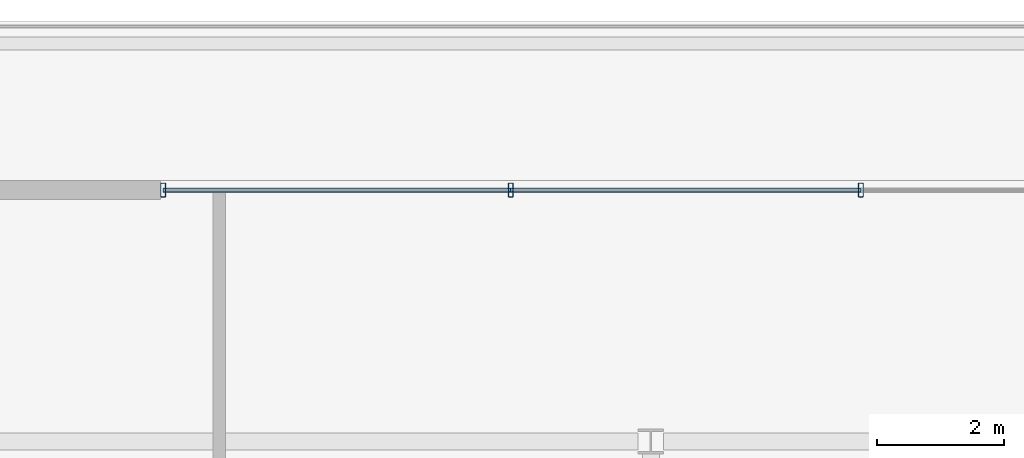
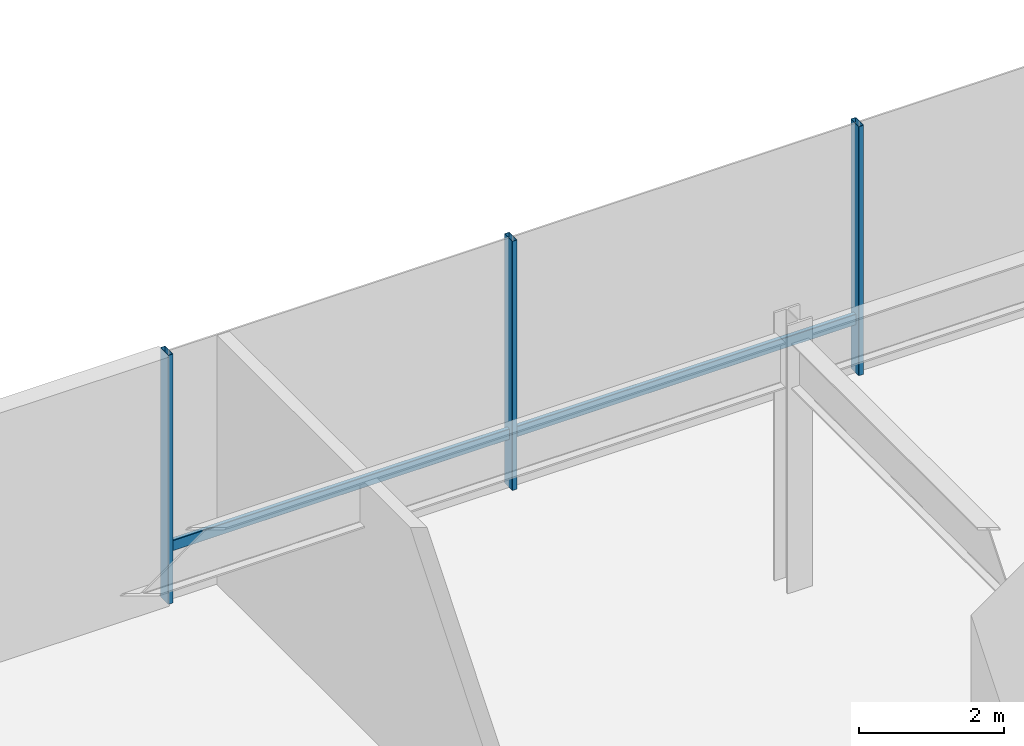
# One storey, part 13 of 40: 5 members, 1 element without a shape of its own.
"""IFC4 building model written with IfcOpenShell, lengths in metres."""

from ifc_helpers import new_model, si_unit, direction, frame, origin, origin_2d, place, context, subcontext, project, spatial, hollow_rectangle, extrude, material, layer, layer_set, material_profile, profile_set, type_object, element, aggregate, save


model = new_model("IFC4")

# Units and contexts
model_context = context("Model", 3, precision=1e-05, world=origin(), true_north=direction((0.0, 1.0)))
body_context = subcontext(model_context, "Body", "Model", "MODEL_VIEW")
ifc_project = project(units=[si_unit("LENGTHUNIT", "METRE"), si_unit("AREAUNIT", "SQUARE_METRE"), si_unit("VOLUMEUNIT", "CUBIC_METRE"), si_unit("PLANEANGLEUNIT", "RADIAN"), si_unit("MASSUNIT", "GRAM", prefix="KILO")], contexts=[model_context])

# Site, building, storey
site_placement = place(None, origin())
site = spatial("IfcSite", under=ifc_project, at=site_placement, CompositionType="ELEMENT")
building_placement = place(site_placement, origin())
building = spatial("IfcBuilding", under=site, at=building_placement, Name="Korimba Cascade Residences", CompositionType="ELEMENT")
storey_placement = place(building_placement, frame((0.0, 0.0, 14.5)))
storey = spatial("IfcBuildingStorey", under=building, at=storey_placement, Name="L03", CompositionType="ELEMENT", Elevation=14.5)

# Curtain wall, members
ifc_material_1 = material(Name="Anodised Aluminium Curtain Wall Framing", Category="aluminium")
ifc_layer = layer(ifc_material_1, 0.179931640625)
ifc_layer_set = layer_set([ifc_layer], Name="Anodised Aluminium Curtain Wall Framing")
curtain_wall_type = type_object("IfcCurtainWallType", Name="CW-POD-SYS1", PredefinedType="NOTDEFINED", material=ifc_layer_set)
curtain_wall_placement = place(storey_placement, origin())
curtain_wall = element("IfcCurtainWall", 1, at=curtain_wall_placement, inside=storey, type_object=curtain_wall_type, Name="L03 Curtain Wall CW-L03-POD-N", PredefinedType="NOTDEFINED")
ifc_material_2 = material(Name="Anodised Aluminium Mullion", Category="aluminium")
ifc_material_profile_1 = material_profile(ifc_material_2, hollow_rectangle(XDim=0.080078125, YDim=0.219970703125, WallThickness=0.00634765625, InnerFilletRadius=0.00634765625, OuterFilletRadius=0.0126953125, at=origin_2d()), Name="Anodised Aluminium Mullion")
ifc_profile_set_1 = profile_set([ifc_material_profile_1], Name="Anodised Aluminium Mullion")
member_type_1 = type_object("IfcMemberType", Name="CWM-MUL-220", PredefinedType="MULLION", material=ifc_profile_set_1)
member_1_placement = place(storey_placement, frame((97.0, 101.550048828125, 0.0), z_axis=(0.0, 0.0, 1.0), x_axis=(-1.0, 0.0, 0.0)))
member_1 = element("IfcMember", 2, at=member_1_placement, type_object=member_type_1, Name="CW-L03-POD-N Mullion 3", PredefinedType="MULLION", context=body_context, shape_type="SweptSolid", body=[
    extrude(hollow_rectangle(XDim=0.080078125, YDim=0.219970703125, WallThickness=0.00634765625, InnerFilletRadius=0.00634765625, OuterFilletRadius=0.0126953125, at=origin_2d()), origin(), (0.0, 0.0, 1.0), 4.179931640625),
])
member_2_placement = place(storey_placement, frame((91.5, 101.550048828125, 0.0), z_axis=(0.0, 0.0, 1.0), x_axis=(-1.0, 0.0, 0.0)))
member_2 = element("IfcMember", 3, at=member_2_placement, type_object=member_type_1, Name="CW-L03-POD-N Mullion 4", PredefinedType="MULLION", context=body_context, shape_type="SweptSolid", body=[
    extrude(hollow_rectangle(XDim=0.080078125, YDim=0.219970703125, WallThickness=0.00634765625, InnerFilletRadius=0.00634765625, OuterFilletRadius=0.0126953125, at=origin_2d()), origin(), (0.0, 0.0, 1.0), 4.179931640625),
])
member_3_placement = place(storey_placement, frame((86.0400390625, 101.550048828125, 0.0), z_axis=(0.0, 0.0, 1.0), x_axis=(-1.0, 0.0, 0.0)))
member_3 = element("IfcMember", 4, at=member_3_placement, type_object=member_type_1, Name="CW-L03-POD-N Mullion 5", PredefinedType="MULLION", context=body_context, shape_type="SweptSolid", body=[
    extrude(hollow_rectangle(XDim=0.080078125, YDim=0.219970703125, WallThickness=0.00634765625, InnerFilletRadius=0.00634765625, OuterFilletRadius=0.0126953125, at=origin_2d()), origin(), (0.0, 0.0, 1.0), 4.179931640625),
])
ifc_material_3 = material(Name="Anodised Aluminium Transom", Category="aluminium")
ifc_material_profile_2 = material_profile(ifc_material_3, hollow_rectangle(XDim=0.070068359375, YDim=0.179931640625, WallThickness=0.0048828125, InnerFilletRadius=0.0048828125, OuterFilletRadius=0.010009765625, at=origin_2d()), Name="Anodised Aluminium Transom")
ifc_profile_set_2 = profile_set([ifc_material_profile_2], Name="Anodised Aluminium Transom")
member_type_2 = type_object("IfcMemberType", Name="CWM-TRN-150", PredefinedType="USERDEFINED", material=ifc_profile_set_2)
member_4_placement = place(storey_placement, frame((97.0, 101.550048828125, 0.89990234375), z_axis=(-1.0, 0.0, 0.0), x_axis=(0.0, -1.0, 0.0)))
member_4 = element("IfcMember", 5, at=member_4_placement, type_object=member_type_2, Name="CW-L03-POD-N Transom 3", ObjectType="TRANSOM", PredefinedType="USERDEFINED", context=body_context, shape_type="SweptSolid", body=[
    extrude(hollow_rectangle(XDim=0.070068359375, YDim=0.179931640625, WallThickness=0.0048828125, InnerFilletRadius=0.0048828125, OuterFilletRadius=0.010009765625, at=origin_2d()), origin(), (0.0, 0.0, 1.0), 5.5),
])
member_5_placement = place(storey_placement, frame((91.5, 101.550048828125, 0.89990234375), z_axis=(-1.0, 0.0, 0.0), x_axis=(0.0, -1.0, 0.0)))
member_5 = element("IfcMember", 6, at=member_5_placement, type_object=member_type_2, Name="CW-L03-POD-N Transom 4", ObjectType="TRANSOM", PredefinedType="USERDEFINED", context=body_context, shape_type="SweptSolid", body=[
    extrude(hollow_rectangle(XDim=0.070068359375, YDim=0.179931640625, WallThickness=0.0048828125, InnerFilletRadius=0.0048828125, OuterFilletRadius=0.010009765625, at=origin_2d()), origin(), (0.0, 0.0, 1.0), 5.4599609375),
])
aggregate(curtain_wall, [member_1, member_2, member_3, member_4, member_5])

save(model, "model.ifc")
